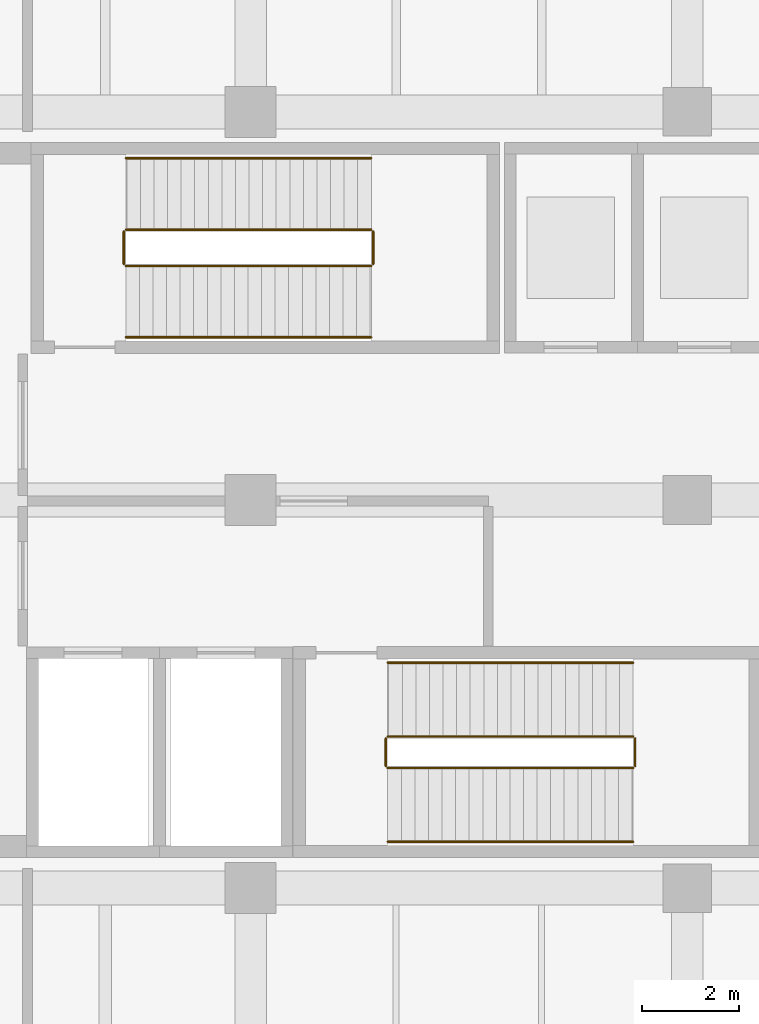
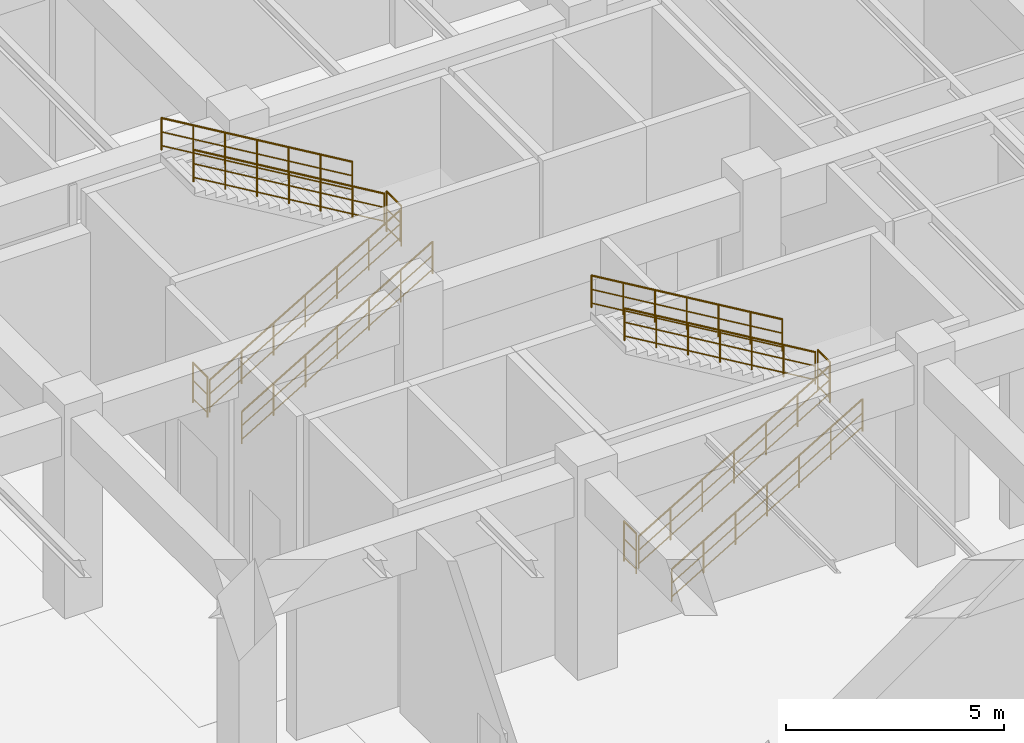
# One storey, part 18 of 20: 12 railings.
"""IFC4 building model written with IfcOpenShell, lengths in metres."""

from ifc_helpers import new_model, si_unit, derived_unit, direction, frame, origin, origin_2d, place, context, subcontext, project, spatial, circle, extrude, material, type_object, element, save


model = new_model("IFC4")

# Units and contexts
model_context = context("Model", 3, precision=1e-05, world=origin(), true_north=direction((0.0, 1.0)))
body_context = subcontext(model_context, "Body", "Model", "MODEL_VIEW")
ifc_project = project(units=[si_unit("LENGTHUNIT", "METRE"), si_unit("AREAUNIT", "SQUARE_METRE"), si_unit("VOLUMEUNIT", "CUBIC_METRE"), si_unit("PLANEANGLEUNIT", "RADIAN"), si_unit("MASSUNIT", "GRAM", prefix="KILO"), derived_unit("THERMALTRANSMITTANCEUNIT", [(si_unit("MASSUNIT", "GRAM", prefix="KILO"), 1), (si_unit("TIMEUNIT", "SECOND"), -3), (si_unit("THERMODYNAMICTEMPERATUREUNIT", "KELVIN"), -1)])], contexts=[model_context])

# Site, building, storey
site_placement = place(None, origin())
site = spatial("IfcSite", under=ifc_project, at=site_placement, CompositionType="ELEMENT")
building_placement = place(site_placement, origin())
building = spatial("IfcBuilding", under=site, at=building_placement, Name="Zhenchuan Archway Interchange", CompositionType="ELEMENT")
storey_placement = place(building_placement, frame((0.0, 0.0, -6.0)))
storey = spatial("IfcBuildingStorey", under=building, at=storey_placement, Name="B1", CompositionType="ELEMENT", Elevation=-6.0)

# Railings
ifc_material_1 = material(Name="Painted Galvanised Steel", Category="steel")
railing_type_1 = type_object("IfcRailingType", Name="RL_GUARD_1150", PredefinedType="GUARDRAIL", material=ifc_material_1)
for number, where, name in (
    (1, (155.52490234375, 60.864990234375, 3.0), "Stair ST-O1 half-landing slot guard (B1)"),
    (2, (150.385009765625, 60.864990234375, 0.0), "Stair ST-O1 floor well guard (B1)"),
):
    element("IfcRailing", number, at=place(storey_placement, frame(where)), inside=storey, type_object=railing_type_1, Name=name, PredefinedType="GUARDRAIL", context=body_context, shape_type="SweptSolid", body=[
        extrude(circle(Radius=0.02392578125, at=origin_2d()), frame((0.0, 0.0, 1.1259765625), z_axis=(0.0, 1.0, 0.0), x_axis=(-1.0, 0.0, 0.0)), (0.0, 0.0, 1.0), 0.669921875),
        extrude(circle(Radius=0.01611328125, at=origin_2d()), frame((0.0, 0.0, 0.63232421875), z_axis=(0.0, 1.0, 0.0), x_axis=(-1.0, 0.0, 0.0)), (0.0, 0.0, 1.0), 0.669921875),
        extrude(circle(Radius=0.01611328125, at=origin_2d()), frame((0.0, 0.0, 0.1201171875), z_axis=(0.0, 1.0, 0.0), x_axis=(-1.0, 0.0, 0.0)), (0.0, 0.0, 1.0), 0.669921875),
        extrude(circle(Radius=0.02099609375, at=origin_2d()), origin(), (0.0, 0.0, 1.0), 1.1259765625),
        extrude(circle(Radius=0.02099609375, at=origin_2d()), frame((0.0, 0.669921875, 0.0)), (0.0, 0.0, 1.0), 1.1259765625),
    ])
for number, where, name in (
    (3, (160.925048828125, 50.514892578125, 3.0), "Stair ST-O2 half-landing slot guard (B1)"),
    (4, (155.784912109375, 50.514892578125, 0.0), "Stair ST-O2 floor well guard (B1)"),
):
    element("IfcRailing", number, at=place(storey_placement, frame(where)), inside=storey, type_object=railing_type_1, Name=name, PredefinedType="GUARDRAIL", context=body_context, shape_type="SweptSolid", body=[
        extrude(circle(Radius=0.02392578125, at=origin_2d()), frame((0.0, 0.0, 1.1259765625), z_axis=(0.0, 1.0, 0.0), x_axis=(-1.0, 0.0, 0.0)), (0.0, 0.0, 1.0), 0.570068359375),
        extrude(circle(Radius=0.01611328125, at=origin_2d()), frame((0.0, 0.0, 0.63232421875), z_axis=(0.0, 1.0, 0.0), x_axis=(-1.0, 0.0, 0.0)), (0.0, 0.0, 1.0), 0.570068359375),
        extrude(circle(Radius=0.01611328125, at=origin_2d()), frame((0.0, 0.0, 0.1201171875), z_axis=(0.0, 1.0, 0.0), x_axis=(-1.0, 0.0, 0.0)), (0.0, 0.0, 1.0), 0.570068359375),
        extrude(circle(Radius=0.02099609375, at=origin_2d()), origin(), (0.0, 0.0, 1.0), 1.1259765625),
        extrude(circle(Radius=0.02099609375, at=origin_2d()), frame((0.0, 0.570068359375, 0.0)), (0.0, 0.0, 1.0), 1.1259765625),
    ])
ifc_material_2 = material(Name="Stainless Steel 304", Category="steel")
railing_type_2 = type_object("IfcRailingType", Name="RL_HAND_920", PredefinedType="HANDRAIL", material=ifc_material_2)
for number, where, name in (
    (5, (150.425048828125, 59.35498046875, 0.157958984375), "Stair ST-O1 handrail 1 (B1)"),
    (6, (150.425048828125, 60.824951171875, 0.157958984375), "Stair ST-O1 handrail 2 (B1)"),
):
    element("IfcRailing", number, at=place(storey_placement, frame(where)), inside=storey, type_object=railing_type_2, Name=name, PredefinedType="HANDRAIL", context=body_context, shape_type="SweptSolid", body=[
        extrude(circle(Radius=0.02392578125, at=origin_2d()), frame((0.0, 0.0, 0.89599609375), z_axis=(0.860183649657, 0.0, 0.509984400607), x_axis=(0.0, 1.0, 0.0)), (0.0, 0.0, 1.0), 5.882568359375),
        extrude(circle(Radius=0.01611328125, at=origin_2d()), frame((0.0, 0.0, 0.505859375), z_axis=(0.860183649657, 0.0, 0.509984400607), x_axis=(0.0, 1.0, 0.0)), (0.0, 0.0, 1.0), 5.882568359375),
        extrude(circle(Radius=0.01611328125, at=origin_2d()), frame((0.0, 0.0, 0.1201171875), z_axis=(0.860183649657, 0.0, 0.509984400607), x_axis=(0.0, 1.0, 0.0)), (0.0, 0.0, 1.0), 5.882568359375),
        extrude(circle(Radius=0.02099609375, at=origin_2d()), origin(), (0.0, 0.0, 1.0), 0.89599609375),
        extrude(circle(Radius=0.02099609375, at=origin_2d()), frame((0.84326171875, 0.0, 0.5)), (0.0, 0.0, 1.0), 0.89599609375),
        extrude(circle(Radius=0.02099609375, at=origin_2d()), frame((1.686767578125, 0.0, 1.0)), (0.0, 0.0, 1.0), 0.89599609375),
        extrude(circle(Radius=0.02099609375, at=origin_2d()), frame((2.530029296875, 0.0, 1.5)), (0.0, 0.0, 1.0), 0.89599609375),
        extrude(circle(Radius=0.02099609375, at=origin_2d()), frame((3.373291015625, 0.0, 2.0)), (0.0, 0.0, 1.0), 0.89599609375),
        extrude(circle(Radius=0.02099609375, at=origin_2d()), frame((4.216796875, 0.0, 2.5)), (0.0, 0.0, 1.0), 0.89599609375),
        extrude(circle(Radius=0.02099609375, at=origin_2d()), frame((5.06005859375, 0.0, 3.0)), (0.0, 0.0, 1.0), 0.89599609375),
    ])
for number, where, name in (
    (7, (155.485107421875, 61.574951171875, 3.157958984375), "Stair ST-O1 handrail 3 (B1)"),
    (8, (155.485107421875, 63.044921875, 3.157958984375), "Stair ST-O1 handrail 4 (B1)"),
):
    element("IfcRailing", number, at=place(storey_placement, frame(where)), inside=storey, type_object=railing_type_2, Name=name, PredefinedType="HANDRAIL", context=body_context, shape_type="SweptSolid", body=[
        extrude(circle(Radius=0.02392578125, at=origin_2d()), frame((0.0, 0.0, 0.89599609375), z_axis=(-0.860183649657, 0.0, 0.509984400607), x_axis=(0.0, -1.0, 0.0)), (0.0, 0.0, 1.0), 5.882568359375),
        extrude(circle(Radius=0.01611328125, at=origin_2d()), frame((0.0, 0.0, 0.505859375), z_axis=(-0.860183649657, 0.0, 0.509984400607), x_axis=(0.0, -1.0, 0.0)), (0.0, 0.0, 1.0), 5.882568359375),
        extrude(circle(Radius=0.01611328125, at=origin_2d()), frame((0.0, 0.0, 0.1201171875), z_axis=(-0.860183649657, 0.0, 0.509984400607), x_axis=(0.0, -1.0, 0.0)), (0.0, 0.0, 1.0), 5.882568359375),
        extrude(circle(Radius=0.02099609375, at=origin_2d()), origin(), (0.0, 0.0, 1.0), 0.89599609375),
        extrude(circle(Radius=0.02099609375, at=origin_2d()), frame((-0.84326171875, 0.0, 0.5)), (0.0, 0.0, 1.0), 0.89599609375),
        extrude(circle(Radius=0.02099609375, at=origin_2d()), frame((-1.686767578125, 0.0, 1.0)), (0.0, 0.0, 1.0), 0.89599609375),
        extrude(circle(Radius=0.02099609375, at=origin_2d()), frame((-2.530029296875, 0.0, 1.5)), (0.0, 0.0, 1.0), 0.89599609375),
        extrude(circle(Radius=0.02099609375, at=origin_2d()), frame((-3.373291015625, 0.0, 2.0)), (0.0, 0.0, 1.0), 0.89599609375),
        extrude(circle(Radius=0.02099609375, at=origin_2d()), frame((-4.216796875, 0.0, 2.5)), (0.0, 0.0, 1.0), 0.89599609375),
        extrude(circle(Radius=0.02099609375, at=origin_2d()), frame((-5.06005859375, 0.0, 3.0)), (0.0, 0.0, 1.0), 0.89599609375),
    ])
for number, where, name in (
    (9, (155.824951171875, 48.955078125, 0.157958984375), "Stair ST-O2 handrail 1 (B1)"),
    (10, (155.824951171875, 50.47509765625, 0.157958984375), "Stair ST-O2 handrail 2 (B1)"),
):
    element("IfcRailing", number, at=place(storey_placement, frame(where)), inside=storey, type_object=railing_type_2, Name=name, PredefinedType="HANDRAIL", context=body_context, shape_type="SweptSolid", body=[
        extrude(circle(Radius=0.02392578125, at=origin_2d()), frame((0.0, 0.0, 0.89599609375), z_axis=(0.860183649657, 0.0, 0.509984400607), x_axis=(0.0, 1.0, 0.0)), (0.0, 0.0, 1.0), 5.882568359375),
        extrude(circle(Radius=0.01611328125, at=origin_2d()), frame((0.0, 0.0, 0.505859375), z_axis=(0.860183649657, 0.0, 0.509984400607), x_axis=(0.0, 1.0, 0.0)), (0.0, 0.0, 1.0), 5.882568359375),
        extrude(circle(Radius=0.01611328125, at=origin_2d()), frame((0.0, 0.0, 0.1201171875), z_axis=(0.860183649657, 0.0, 0.509984400607), x_axis=(0.0, 1.0, 0.0)), (0.0, 0.0, 1.0), 5.882568359375),
        extrude(circle(Radius=0.02099609375, at=origin_2d()), origin(), (0.0, 0.0, 1.0), 0.89599609375),
        extrude(circle(Radius=0.02099609375, at=origin_2d()), frame((0.84326171875, 0.0, 0.5)), (0.0, 0.0, 1.0), 0.89599609375),
        extrude(circle(Radius=0.02099609375, at=origin_2d()), frame((1.686767578125, 0.0, 1.0)), (0.0, 0.0, 1.0), 0.89599609375),
        extrude(circle(Radius=0.02099609375, at=origin_2d()), frame((2.530029296875, 0.0, 1.5)), (0.0, 0.0, 1.0), 0.89599609375),
        extrude(circle(Radius=0.02099609375, at=origin_2d()), frame((3.373291015625, 0.0, 2.0)), (0.0, 0.0, 1.0), 0.89599609375),
        extrude(circle(Radius=0.02099609375, at=origin_2d()), frame((4.216796875, 0.0, 2.5)), (0.0, 0.0, 1.0), 0.89599609375),
        extrude(circle(Radius=0.02099609375, at=origin_2d()), frame((5.06005859375, 0.0, 3.0)), (0.0, 0.0, 1.0), 0.89599609375),
    ])
for number, where, name in (
    (11, (160.885009765625, 51.125, 3.157958984375), "Stair ST-O2 handrail 3 (B1)"),
    (12, (160.885009765625, 52.64501953125, 3.157958984375), "Stair ST-O2 handrail 4 (B1)"),
):
    element("IfcRailing", number, at=place(storey_placement, frame(where)), inside=storey, type_object=railing_type_2, Name=name, PredefinedType="HANDRAIL", context=body_context, shape_type="SweptSolid", body=[
        extrude(circle(Radius=0.02392578125, at=origin_2d()), frame((0.0, 0.0, 0.89599609375), z_axis=(-0.860183649657, 0.0, 0.509984400607), x_axis=(0.0, -1.0, 0.0)), (0.0, 0.0, 1.0), 5.882568359375),
        extrude(circle(Radius=0.01611328125, at=origin_2d()), frame((0.0, 0.0, 0.505859375), z_axis=(-0.860183649657, 0.0, 0.509984400607), x_axis=(0.0, -1.0, 0.0)), (0.0, 0.0, 1.0), 5.882568359375),
        extrude(circle(Radius=0.01611328125, at=origin_2d()), frame((0.0, 0.0, 0.1201171875), z_axis=(-0.860183649657, 0.0, 0.509984400607), x_axis=(0.0, -1.0, 0.0)), (0.0, 0.0, 1.0), 5.882568359375),
        extrude(circle(Radius=0.02099609375, at=origin_2d()), origin(), (0.0, 0.0, 1.0), 0.89599609375),
        extrude(circle(Radius=0.02099609375, at=origin_2d()), frame((-0.84326171875, 0.0, 0.5)), (0.0, 0.0, 1.0), 0.89599609375),
        extrude(circle(Radius=0.02099609375, at=origin_2d()), frame((-1.686767578125, 0.0, 1.0)), (0.0, 0.0, 1.0), 0.89599609375),
        extrude(circle(Radius=0.02099609375, at=origin_2d()), frame((-2.530029296875, 0.0, 1.5)), (0.0, 0.0, 1.0), 0.89599609375),
        extrude(circle(Radius=0.02099609375, at=origin_2d()), frame((-3.373291015625, 0.0, 2.0)), (0.0, 0.0, 1.0), 0.89599609375),
        extrude(circle(Radius=0.02099609375, at=origin_2d()), frame((-4.216796875, 0.0, 2.5)), (0.0, 0.0, 1.0), 0.89599609375),
        extrude(circle(Radius=0.02099609375, at=origin_2d()), frame((-5.06005859375, 0.0, 3.0)), (0.0, 0.0, 1.0), 0.89599609375),
    ])

save(model, "model.ifc")
